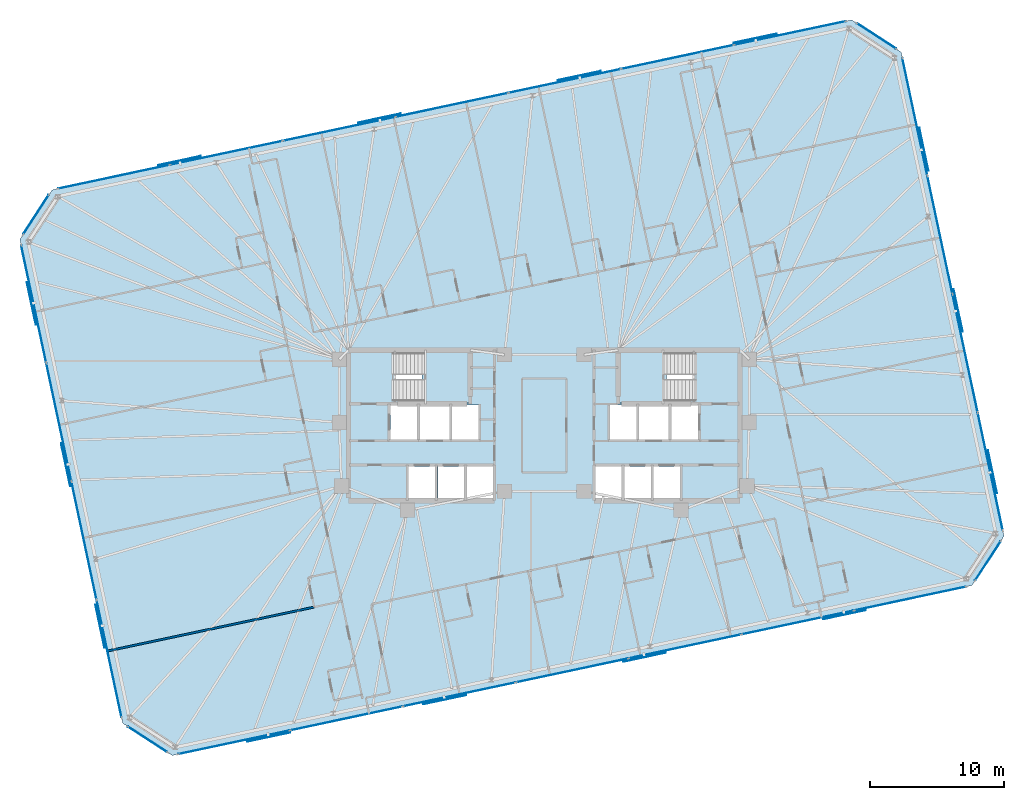
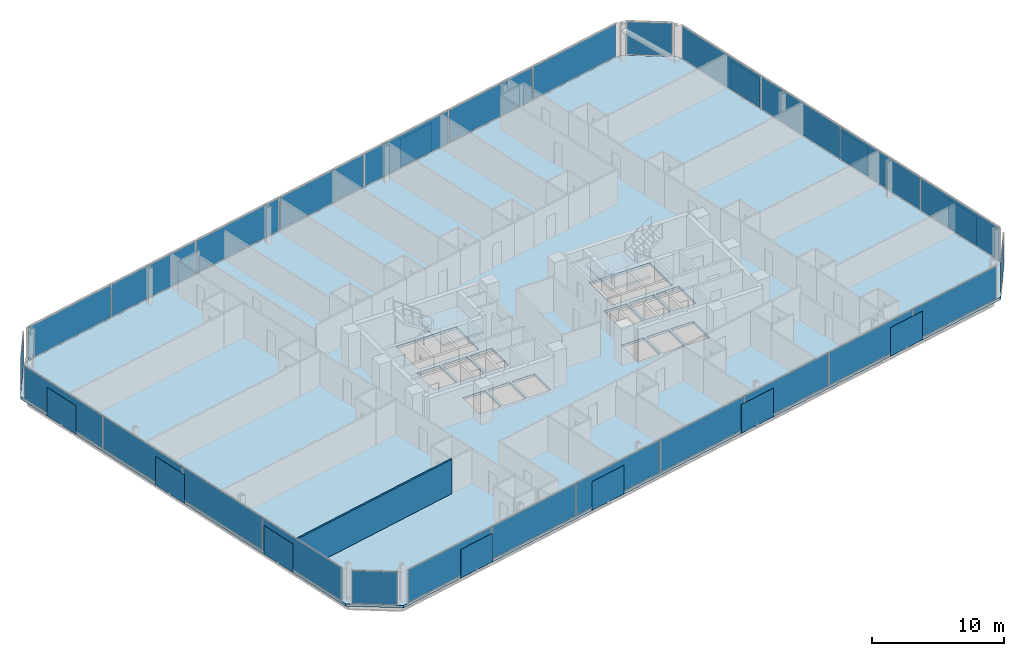
# One storey, part 13 of 20: 40 plates, 3 slabs, 1 wall, 10 elements without a shape of their own.
"""IFC4 building model written with IfcOpenShell, lengths in metres."""

from ifc_helpers import new_model, si_unit, direction, frame, frame_2d, origin, origin_2d, place, context, subcontext, project, spatial, polyline, rectangle, outline, extrude, material, layer, layer_set, type_object, element, aggregate, save


model = new_model("IFC4")

# Units and contexts
model_context = context("Model", 3, precision=1e-05, world=origin(), true_north=direction((0.0, 1.0)))
body_context = subcontext(model_context, "Body", "Model", "MODEL_VIEW")
ifc_project = project(units=[si_unit("LENGTHUNIT", "METRE"), si_unit("AREAUNIT", "SQUARE_METRE"), si_unit("VOLUMEUNIT", "CUBIC_METRE"), si_unit("PLANEANGLEUNIT", "RADIAN"), si_unit("MASSUNIT", "GRAM", prefix="KILO")], contexts=[model_context])

# Site, building, storey
site_placement = place(None, origin())
site = spatial("IfcSite", under=ifc_project, at=site_placement, CompositionType="ELEMENT")
building_placement = place(site_placement, origin())
building = spatial("IfcBuilding", under=site, at=building_placement, Name="Menara Jurai Vektor", CompositionType="ELEMENT")
storey_placement = place(building_placement, frame((0.0, 0.0, 178.60009765625)))
storey = spatial("IfcBuildingStorey", under=building, at=storey_placement, Name="L46", CompositionType="ELEMENT", Elevation=178.60009765625)

# Curtain wall, plates
ifc_material_1 = material(Name="Anodised Pale Aluminium & Low-E Double Glazing", Category="aluminium")
curtain_wall_type = type_object("IfcCurtainWallType", Name="CW-BLK3", PredefinedType="NOTDEFINED", material=ifc_material_1)
curtain_wall_1_placement = place(storey_placement, origin())
curtain_wall_1 = element("IfcCurtainWall", 1, at=curtain_wall_1_placement, inside=storey, type_object=curtain_wall_type, Name="Unitised Curtain Wall L46 F01", PredefinedType="NOTDEFINED")
ifc_material_2 = material(Name="Low-E Solar-Control Double Glazed Unit", Category="glass")
ifc_layer_1 = layer(ifc_material_2, 0.031982421875)
ifc_layer_set_1 = layer_set([ifc_layer_1], Name="Low-E Solar-Control Double Glazed Unit")
plate_type_1 = type_object("IfcPlateType", Name="CW-BLK3-PNL", PredefinedType="CURTAIN_PANEL", material=ifc_layer_set_1)
plate_1_placement = place(storey_placement, frame((-23.078369140625, -23.57568359375, 0.0849609375), z_axis=(0.0, 0.0, 1.0), x_axis=(0.978147674419, 0.207911344156, 0.0)))
plate_1 = element("IfcPlate", 2, at=plate_1_placement, type_object=plate_type_1, Name="CW-03 panel 1.1", PredefinedType="CURTAIN_PANEL", context=body_context, shape_type="SweptSolid", body=[
    extrude(rectangle(XDim=8.44970703125, YDim=0.031982421875, at=origin_2d()), origin(), (0.0, 0.0, 1.0), 3.0048828125),
])
plate_2_placement = place(storey_placement, frame((-14.709228515625, -21.796875, 0.0849609375), z_axis=(0.0, 0.0, 1.0), x_axis=(0.978147674419, 0.207911344156, 0.0)))
plate_2 = element("IfcPlate", 3, at=plate_2_placement, type_object=plate_type_1, Name="CW-03 panel 2.1", PredefinedType="CURTAIN_PANEL", context=body_context, shape_type="SweptSolid", body=[
    extrude(rectangle(XDim=8.4921875, YDim=0.031982421875, at=origin_2d()), origin(), (0.0, 0.0, 1.0), 3.0048828125),
])
plate_3_placement = place(storey_placement, frame((-6.319580078125, -20.013427734375, 0.0849609375), z_axis=(0.0, 0.0, 1.0), x_axis=(0.978147674419, 0.207911344156, 0.0)))
plate_3 = element("IfcPlate", 4, at=plate_3_placement, type_object=plate_type_1, Name="CW-03 panel 3.1", PredefinedType="CURTAIN_PANEL", context=body_context, shape_type="SweptSolid", body=[
    extrude(rectangle(XDim=8.4921875, YDim=0.031982421875, at=origin_2d()), origin(), (0.0, 0.0, 1.0), 3.0048828125),
])
plate_4_placement = place(storey_placement, frame((2.070068359375, -18.230224609375, 0.0849609375), z_axis=(0.0, 0.0, 1.0), x_axis=(0.978147674419, 0.207911344156, 0.0)))
plate_4 = element("IfcPlate", 5, at=plate_4_placement, type_object=plate_type_1, Name="CW-03 panel 4.1", PredefinedType="CURTAIN_PANEL", context=body_context, shape_type="SweptSolid", body=[
    extrude(rectangle(XDim=8.4921875, YDim=0.031982421875, at=origin_2d()), origin(), (0.0, 0.0, 1.0), 3.0048828125),
])
plate_5_placement = place(storey_placement, frame((10.459716796875, -16.447021484375, 0.0849609375), z_axis=(0.0, 0.0, 1.0), x_axis=(0.978147674419, 0.207911344156, 0.0)))
plate_5 = element("IfcPlate", 6, at=plate_5_placement, type_object=plate_type_1, Name="CW-03 panel 5.1", PredefinedType="CURTAIN_PANEL", context=body_context, shape_type="SweptSolid", body=[
    extrude(rectangle(XDim=8.4921875, YDim=0.031982421875, at=origin_2d()), origin(), (0.0, 0.0, 1.0), 3.0048828125),
])
plate_6_placement = place(storey_placement, frame((18.849609375, -14.66357421875, 0.0849609375), z_axis=(0.0, 0.0, 1.0), x_axis=(0.978147674419, 0.207911344156, 0.0)))
plate_6 = element("IfcPlate", 7, at=plate_6_placement, type_object=plate_type_1, Name="CW-03 panel 6.1", PredefinedType="CURTAIN_PANEL", context=body_context, shape_type="SweptSolid", body=[
    extrude(rectangle(XDim=8.4921875, YDim=0.031982421875, at=origin_2d()), origin(), (0.0, 0.0, 1.0), 3.0048828125),
])
plate_7_placement = place(storey_placement, frame((27.218505859375, -12.884765625, 0.0849609375), z_axis=(0.0, 0.0, 1.0), x_axis=(0.978147674419, 0.207911344156, 0.0)))
plate_7 = element("IfcPlate", 8, at=plate_7_placement, type_object=plate_type_1, Name="CW-03 panel 7.1", PredefinedType="CURTAIN_PANEL", context=body_context, shape_type="SweptSolid", body=[
    extrude(rectangle(XDim=8.44970703125, YDim=0.031982421875, at=origin_2d()), origin(), (0.0, 0.0, 1.0), 3.0048828125),
])
aggregate(curtain_wall_1, [plate_1, plate_2, plate_3, plate_4, plate_5, plate_6, plate_7])

curtain_wall_2_placement = place(storey_placement, origin())
curtain_wall_2 = element("IfcCurtainWall", 9, at=curtain_wall_2_placement, inside=storey, type_object=curtain_wall_type, Name="Unitised Curtain Wall L46 F03", PredefinedType="NOTDEFINED")
plate_8_placement = place(storey_placement, frame((33.17333984375, -3.433837890625, 0.0849609375), z_axis=(0.0, 0.0, 1.0), x_axis=(-0.20791035839, 0.978147883949, 0.0)))
plate_8 = element("IfcPlate", 10, at=plate_8_placement, type_object=plate_type_1, Name="CW-03 panel 1.1", PredefinedType="CURTAIN_PANEL", context=body_context, shape_type="SweptSolid", body=[
    extrude(rectangle(XDim=8.882568359375, YDim=0.031982421875, at=origin_2d()), origin(), (0.0, 0.0, 1.0), 3.0048828125),
])
plate_9_placement = place(storey_placement, frame((31.3046875, 5.3583984375, 0.0849609375), z_axis=(0.0, 0.0, 1.0), x_axis=(-0.20791035839, 0.978147883949, 0.0)))
plate_9 = element("IfcPlate", 11, at=plate_9_placement, type_object=plate_type_1, Name="CW-03 panel 2.1", PredefinedType="CURTAIN_PANEL", context=body_context, shape_type="SweptSolid", body=[
    extrude(rectangle(XDim=8.925048828125, YDim=0.031982421875, at=origin_2d()), origin(), (0.0, 0.0, 1.0), 3.0048828125),
])
plate_10_placement = place(storey_placement, frame((29.431396484375, 14.171630859375, 0.0849609375), z_axis=(0.0, 0.0, 1.0), x_axis=(-0.20791035839, 0.978147883949, 0.0)))
plate_10 = element("IfcPlate", 12, at=plate_10_placement, type_object=plate_type_1, Name="CW-03 panel 3.1", PredefinedType="CURTAIN_PANEL", context=body_context, shape_type="SweptSolid", body=[
    extrude(rectangle(XDim=8.925048828125, YDim=0.031982421875, at=origin_2d()), origin(), (0.0, 0.0, 1.0), 3.0048828125),
])
plate_11_placement = place(storey_placement, frame((27.5625, 22.9638671875, 0.0849609375), z_axis=(0.0, 0.0, 1.0), x_axis=(-0.20791035839, 0.978147883949, 0.0)))
plate_11 = element("IfcPlate", 13, at=plate_11_placement, type_object=plate_type_1, Name="CW-03 panel 4.1", PredefinedType="CURTAIN_PANEL", context=body_context, shape_type="SweptSolid", body=[
    extrude(rectangle(XDim=8.882568359375, YDim=0.031982421875, at=origin_2d()), origin(), (0.0, 0.0, 1.0), 3.0048828125),
])
aggregate(curtain_wall_2, [plate_8, plate_9, plate_10, plate_11])

curtain_wall_3_placement = place(storey_placement, origin())
curtain_wall_3 = element("IfcCurtainWall", 14, at=curtain_wall_3_placement, inside=storey, type_object=curtain_wall_type, Name="Unitised Curtain Wall L46 F05", PredefinedType="NOTDEFINED")
plate_12_placement = place(storey_placement, frame((18.2783203125, 29.175537109375, 0.0849609375), z_axis=(0.0, 0.0, 1.0), x_axis=(-0.978147674419, -0.207911344156, 0.0)))
plate_12 = element("IfcPlate", 15, at=plate_12_placement, type_object=plate_type_1, Name="CW-03 panel 1.1", PredefinedType="CURTAIN_PANEL", context=body_context, shape_type="SweptSolid", body=[
    extrude(rectangle(XDim=8.44970703125, YDim=0.031982421875, at=origin_2d()), origin(), (0.0, 0.0, 1.0), 3.0048828125),
])
plate_13_placement = place(storey_placement, frame((9.909423828125, 27.396728515625, 0.0849609375), z_axis=(0.0, 0.0, 1.0), x_axis=(-0.978147674419, -0.207911344156, 0.0)))
plate_13 = element("IfcPlate", 16, at=plate_13_placement, type_object=plate_type_1, Name="CW-03 panel 2.1", PredefinedType="CURTAIN_PANEL", context=body_context, shape_type="SweptSolid", body=[
    extrude(rectangle(XDim=8.4921875, YDim=0.031982421875, at=origin_2d()), origin(), (0.0, 0.0, 1.0), 3.0048828125),
])
plate_14_placement = place(storey_placement, frame((1.51953125, 25.613525390625, 0.0849609375), z_axis=(0.0, 0.0, 1.0), x_axis=(-0.978147674419, -0.207911344156, 0.0)))
plate_14 = element("IfcPlate", 17, at=plate_14_placement, type_object=plate_type_1, Name="CW-03 panel 3.1", PredefinedType="CURTAIN_PANEL", context=body_context, shape_type="SweptSolid", body=[
    extrude(rectangle(XDim=8.4921875, YDim=0.031982421875, at=origin_2d()), origin(), (0.0, 0.0, 1.0), 3.0048828125),
])
plate_15_placement = place(storey_placement, frame((-6.8701171875, 23.830078125, 0.0849609375), z_axis=(0.0, 0.0, 1.0), x_axis=(-0.978147674419, -0.207911344156, 0.0)))
plate_15 = element("IfcPlate", 18, at=plate_15_placement, type_object=plate_type_1, Name="CW-03 panel 4.1", PredefinedType="CURTAIN_PANEL", context=body_context, shape_type="SweptSolid", body=[
    extrude(rectangle(XDim=8.4921875, YDim=0.031982421875, at=origin_2d()), origin(), (0.0, 0.0, 1.0), 3.0048828125),
])
plate_16_placement = place(storey_placement, frame((-15.259765625, 22.046875, 0.0849609375), z_axis=(0.0, 0.0, 1.0), x_axis=(-0.978147674419, -0.207911344156, 0.0)))
plate_16 = element("IfcPlate", 19, at=plate_16_placement, type_object=plate_type_1, Name="CW-03 panel 5.1", PredefinedType="CURTAIN_PANEL", context=body_context, shape_type="SweptSolid", body=[
    extrude(rectangle(XDim=8.4921875, YDim=0.031982421875, at=origin_2d()), origin(), (0.0, 0.0, 1.0), 3.0048828125),
])
plate_17_placement = place(storey_placement, frame((-23.6494140625, 20.263671875, 0.0849609375), z_axis=(0.0, 0.0, 1.0), x_axis=(-0.978147674419, -0.207911344156, 0.0)))
plate_17 = element("IfcPlate", 20, at=plate_17_placement, type_object=plate_type_1, Name="CW-03 panel 6.1", PredefinedType="CURTAIN_PANEL", context=body_context, shape_type="SweptSolid", body=[
    extrude(rectangle(XDim=8.4921875, YDim=0.031982421875, at=origin_2d()), origin(), (0.0, 0.0, 1.0), 3.0048828125),
])
plate_18_placement = place(storey_placement, frame((-32.0185546875, 18.48486328125, 0.0849609375), z_axis=(0.0, 0.0, 1.0), x_axis=(-0.978147674419, -0.207911344156, 0.0)))
plate_18 = element("IfcPlate", 21, at=plate_18_placement, type_object=plate_type_1, Name="CW-03 panel 7.1", PredefinedType="CURTAIN_PANEL", context=body_context, shape_type="SweptSolid", body=[
    extrude(rectangle(XDim=8.44970703125, YDim=0.031982421875, at=origin_2d()), origin(), (0.0, 0.0, 1.0), 3.0048828125),
])
aggregate(curtain_wall_3, [plate_12, plate_13, plate_14, plate_15, plate_16, plate_17, plate_18])

curtain_wall_4_placement = place(storey_placement, origin())
curtain_wall_4 = element("IfcCurtainWall", 22, at=curtain_wall_4_placement, inside=storey, type_object=curtain_wall_type, Name="Unitised Curtain Wall L46 F07", PredefinedType="NOTDEFINED")
plate_19_placement = place(storey_placement, frame((-37.973388671875, 9.033935546875, 0.0849609375), z_axis=(0.0, 0.0, 1.0), x_axis=(0.20791035839, -0.978147883949, 0.0)))
plate_19 = element("IfcPlate", 23, at=plate_19_placement, type_object=plate_type_1, Name="CW-03 panel 1.1", PredefinedType="CURTAIN_PANEL", context=body_context, shape_type="SweptSolid", body=[
    extrude(rectangle(XDim=8.882568359375, YDim=0.031982421875, at=origin_2d()), origin(), (0.0, 0.0, 1.0), 3.0048828125),
])
plate_20_placement = place(storey_placement, frame((-36.1044921875, 0.241455078125, 0.0849609375), z_axis=(0.0, 0.0, 1.0), x_axis=(0.20791035839, -0.978147883949, 0.0)))
plate_20 = element("IfcPlate", 24, at=plate_20_placement, type_object=plate_type_1, Name="CW-03 panel 2.1", PredefinedType="CURTAIN_PANEL", context=body_context, shape_type="SweptSolid", body=[
    extrude(rectangle(XDim=8.925048828125, YDim=0.031982421875, at=origin_2d()), origin(), (0.0, 0.0, 1.0), 3.0048828125),
])
plate_21_placement = place(storey_placement, frame((-34.231201171875, -8.571533203125, 0.0849609375), z_axis=(0.0, 0.0, 1.0), x_axis=(0.20791035839, -0.978147883949, 0.0)))
plate_21 = element("IfcPlate", 25, at=plate_21_placement, type_object=plate_type_1, Name="CW-03 panel 3.1", PredefinedType="CURTAIN_PANEL", context=body_context, shape_type="SweptSolid", body=[
    extrude(rectangle(XDim=8.925048828125, YDim=0.031982421875, at=origin_2d()), origin(), (0.0, 0.0, 1.0), 3.0048828125),
])
plate_22_placement = place(storey_placement, frame((-32.362548828125, -17.364013671875, 0.0849609375), z_axis=(0.0, 0.0, 1.0), x_axis=(0.20791035839, -0.978147883949, 0.0)))
plate_22 = element("IfcPlate", 26, at=plate_22_placement, type_object=plate_type_1, Name="CW-03 panel 4.1", PredefinedType="CURTAIN_PANEL", context=body_context, shape_type="SweptSolid", body=[
    extrude(rectangle(XDim=8.882568359375, YDim=0.031982421875, at=origin_2d()), origin(), (0.0, 0.0, 1.0), 3.0048828125),
])
aggregate(curtain_wall_4, [plate_19, plate_20, plate_21, plate_22])

# Curtain wall, plate
curtain_wall_5_placement = place(storey_placement, origin())
curtain_wall_5 = element("IfcCurtainWall", 27, at=curtain_wall_5_placement, inside=storey, type_object=curtain_wall_type, Name="Unitised Curtain Wall L46 F02", PredefinedType="NOTDEFINED")
ifc_material_3 = material(Name="Insulated Pale Aluminium Spandrel Panel", Category="aluminium")
ifc_layer_2 = layer(ifc_material_3, 0.06005859375)
ifc_layer_set_2 = layer_set([ifc_layer_2], Name="Insulated Pale Aluminium Spandrel Panel")
plate_type_2 = type_object("IfcPlateType", Name="CW-PNL-SP", PredefinedType="CURTAIN_PANEL", material=ifc_layer_set_2)
plate_23_placement = place(storey_placement, frame((32.999755859375, -10.0712890625, 0.0849609375), z_axis=(0.0, 0.0, 1.0), x_axis=(0.544617794346, 0.838684361415, 0.0)))
plate_23 = element("IfcPlate", 28, at=plate_23_placement, type_object=plate_type_2, Name="CW-03 panel 1.1", PredefinedType="CURTAIN_PANEL", context=body_context, shape_type="SweptSolid", body=[
    extrude(rectangle(XDim=3.4541015625, YDim=0.06005859375, at=origin_2d()), origin(), (0.0, 0.0, 1.0), 3.0048828125),
])
aggregate(curtain_wall_5, [plate_23])

curtain_wall_6_placement = place(storey_placement, origin())
curtain_wall_6 = element("IfcCurtainWall", 29, at=curtain_wall_6_placement, inside=storey, type_object=curtain_wall_type, Name="Unitised Curtain Wall L46 F04", PredefinedType="NOTDEFINED")
plate_24_placement = place(storey_placement, frame((24.7041015625, 28.956787109375, 0.0849609375), z_axis=(0.0, 0.0, 1.0), x_axis=(-0.838684361415, 0.544617794346, 0.0)))
plate_24 = element("IfcPlate", 30, at=plate_24_placement, type_object=plate_type_2, Name="CW-03 panel 1.1", PredefinedType="CURTAIN_PANEL", context=body_context, shape_type="SweptSolid", body=[
    extrude(rectangle(XDim=3.4541015625, YDim=0.06005859375, at=origin_2d()), origin(), (0.0, 0.0, 1.0), 3.0048828125),
])
aggregate(curtain_wall_6, [plate_24])

curtain_wall_7_placement = place(storey_placement, origin())
curtain_wall_7 = element("IfcCurtainWall", 31, at=curtain_wall_7_placement, inside=storey, type_object=curtain_wall_type, Name="Unitised Curtain Wall L46 F06", PredefinedType="NOTDEFINED")
plate_25_placement = place(storey_placement, frame((-37.799560546875, 15.67138671875, 0.0849609375), z_axis=(0.0, 0.0, 1.0), x_axis=(-0.544617794346, -0.838684361415, 0.0)))
plate_25 = element("IfcPlate", 32, at=plate_25_placement, type_object=plate_type_2, Name="CW-03 panel 1.1", PredefinedType="CURTAIN_PANEL", context=body_context, shape_type="SweptSolid", body=[
    extrude(rectangle(XDim=3.4541015625, YDim=0.06005859375, at=origin_2d()), origin(), (0.0, 0.0, 1.0), 3.0048828125),
])
aggregate(curtain_wall_7, [plate_25])

curtain_wall_8_placement = place(storey_placement, origin())
curtain_wall_8 = element("IfcCurtainWall", 33, at=curtain_wall_8_placement, inside=storey, type_object=curtain_wall_type, Name="Unitised Curtain Wall L46 F08", PredefinedType="NOTDEFINED")
plate_26_placement = place(storey_placement, frame((-29.50390625, -23.35693359375, 0.0849609375), z_axis=(0.0, 0.0, 1.0), x_axis=(0.838684361415, -0.544617794346, 0.0)))
plate_26 = element("IfcPlate", 34, at=plate_26_placement, type_object=plate_type_2, Name="CW-03 panel 1.1", PredefinedType="CURTAIN_PANEL", context=body_context, shape_type="SweptSolid", body=[
    extrude(rectangle(XDim=3.4541015625, YDim=0.06005859375, at=origin_2d()), origin(), (0.0, 0.0, 1.0), 3.0048828125),
])
aggregate(curtain_wall_8, [plate_26])

# Plates
ifc_material_4 = material(Name="Anodised Pale Aluminium Perforated Screen", Category="aluminium")
ifc_layer_3 = layer(ifc_material_4, 0.02294921875)
ifc_layer_set_3 = layer_set([ifc_layer_3], Name="Anodised Pale Aluminium Perforated Screen")
plate_type_3 = type_object("IfcPlateType", Name="ENV-PLT-SCREEN-MID", PredefinedType="USERDEFINED", material=ifc_layer_set_3)
for number, where, z_axis, x_axis, name in (
    (35, (-20.495849609375, -23.190185546875, -0.050048828125), (0.0, 0.0, 1.0), (0.978147600734, 0.207911690818, 0.0), "Perforated Pale-Metal Solar Screen L46-S01"),
    (36, (-7.412109375, -20.4091796875, -0.050048828125), (0.0, 0.0, 1.0), (0.978147600734, 0.207911690818, 0.0), "Perforated Pale-Metal Solar Screen L46-S02"),
    (37, (7.455810546875, -17.2490234375, -0.050048828125), (0.0, 0.0, 1.0), (0.978147600734, 0.207911690818, 0.0), "Perforated Pale-Metal Solar Screen L46-S03"),
    (38, (22.323486328125, -14.0888671875, -0.050048828125), (0.0, 0.0, 1.0), (0.978147600734, 0.207911690818, 0.0), "Perforated Pale-Metal Solar Screen L46-S04"),
    (39, (33.342529296875, -3.460205078125, -0.050048828125), (0.0, 0.0, 1.0), (-0.207911690818, 0.978147600734, 0.0), "Perforated Pale-Metal Solar Screen L46-S05"),
    (40, (30.792236328125, 8.53857421875, -0.050048828125), (0.0, 0.0, 1.0), (-0.207911690818, 0.978147600734, 0.0), "Perforated Pale-Metal Solar Screen L46-S06"),
    (41, (28.241943359375, 20.537109375, -0.050048828125), (0.0, 0.0, 1.0), (-0.207911690818, 0.978147600734, 0.0), "Perforated Pale-Metal Solar Screen L46-S07"),
    (42, (15.69580078125, 28.790283203125, -0.050048828125), (0.0, 0.0, 1.0), (-0.978147600734, -0.207911690818, 0.0), "Perforated Pale-Metal Solar Screen L46-S08"),
    (43, (2.612060546875, 26.00927734375, -0.050048828125), (0.0, 0.0, 1.0), (-0.978147600734, -0.207911690818, 0.0), "Perforated Pale-Metal Solar Screen L46-S09"),
    (44, (-12.255859375, 22.84912109375, -0.050048828125), (0.0, 0.0, 1.0), (-0.978147600734, -0.207911690818, 0.0), "Perforated Pale-Metal Solar Screen L46-S10"),
    (45, (-27.12353515625, 19.688720703125, -0.050048828125), (0.0, 0.0, 1.0), (-0.978147600734, -0.207911690818, 0.0), "Perforated Pale-Metal Solar Screen L46-S11"),
    (46, (-38.142578125, 9.060302734375, -0.050048828125), (0.0, 0.0, 1.0), (0.207911690818, -0.978147600734, 0.0), "Perforated Pale-Metal Solar Screen L46-S12"),
    (47, (-35.59228515625, -2.9384765625, -0.050048828125), (0.0, 0.0, 1.0), (0.207911690818, -0.978147600734, 0.0), "Perforated Pale-Metal Solar Screen L46-S13"),
    (48, (-33.0419921875, -14.93701171875, -0.050048828125), (0.0, 0.0, 1.0), (0.207911690818, -0.978147600734, 0.0), "Perforated Pale-Metal Solar Screen L46-S14"),
):
    element("IfcPlate", number, at=place(storey_placement, frame(where, z_axis=z_axis, x_axis=x_axis)), inside=storey, type_object=plate_type_3, Name=name, ObjectType="SCREEN", PredefinedType="USERDEFINED", context=body_context, shape_type="SweptSolid", body=[
        extrude(rectangle(XDim=3.25, YDim=0.02294921875, at=origin_2d()), origin(), (0.0, 0.0, 1.0), 2.64990234375),
    ])

# Stair, slab
ifc_material_5 = material(Name="Concrete C40/50", Category="concrete")
stair_type = type_object("IfcStairType", Name="STAIR-DOGLEG-1500", PredefinedType="HALF_TURN_STAIR", material=ifc_material_5)
stair_1_placement = place(storey_placement, origin())
stair_1 = element("IfcStair", 49, at=stair_1_placement, inside=storey, type_object=stair_type, Name="Protected Exit Stair ST1 L46", PredefinedType="HALF_TURN_STAIR")
ifc_layer_4 = layer(ifc_material_5, 0.199951171875)
ifc_layer_set_4 = layer_set([ifc_layer_4], Name="Concrete C40/50")
slab_type_1 = type_object("IfcSlabType", Name="STAIR-LANDING-200", PredefinedType="LANDING", material=ifc_layer_set_4)
slab_1_placement = place(storey_placement, frame((0.0, 0.0, 1.5)))
slab_1 = element("IfcSlab", 50, at=slab_1_placement, type_object=slab_type_1, Name="ST1 landing 1", PredefinedType="LANDING", context=body_context, shape_type="SweptSolid", body=[
    extrude(outline(polyline([(-9.080078125, 1.64990234375), (-5.550048828125, 1.64990234375), (-5.550048828125, 5.550048828125), (-9.080078125, 5.550048828125), (-9.080078125, 1.64990234375)])), origin(), (0.0, 0.0, 1.0), 0.199951171875),
])
aggregate(stair_1, [slab_1])

stair_2_placement = place(storey_placement, origin())
stair_2 = element("IfcStair", 51, at=stair_2_placement, inside=storey, type_object=stair_type, Name="Protected Exit Stair ST2 L46", PredefinedType="HALF_TURN_STAIR")
slab_2_placement = place(storey_placement, frame((0.0, 0.0, 1.5)))
slab_2 = element("IfcSlab", 52, at=slab_2_placement, type_object=slab_type_1, Name="ST2 landing 1", PredefinedType="LANDING", context=body_context, shape_type="SweptSolid", body=[
    extrude(outline(polyline([(5.550048828125, 1.64990234375), (9.080078125, 1.64990234375), (9.080078125, 5.550048828125), (5.550048828125, 5.550048828125), (5.550048828125, 1.64990234375)])), origin(), (0.0, 0.0, 1.0), 0.199951171875),
])
aggregate(stair_2, [slab_2])

# Slab
ifc_layer_5 = layer(ifc_material_5, 0.22509765625)
ifc_layer_set_5 = layer_set([ifc_layer_5], Name="Concrete C40/50")
slab_type_2 = type_object("IfcSlabType", Name="STR-SLAB-TYP200", PredefinedType="FLOOR", material=ifc_layer_set_5)
slab_3_placement = place(storey_placement, frame((0.0, 0.0, -0.22509765625)))
element("IfcSlab", 53, at=slab_3_placement, inside=storey, type_object=slab_type_2, Name="Composite Floor Slab L46", PredefinedType="FLOOR", context=body_context, shape_type="SweptSolid", body=[
    extrude(outline(polyline([(-27.66552734375, -24.55078125), (31.805908203125, -11.90966796875), (34.193603515625, -8.23291015625), (26.54248046875, 27.762939453125), (22.865478515625, 30.150634765625), (-36.605712890625, 17.509765625), (-38.993408203125, 13.8330078125), (-31.34228515625, -22.1630859375), (-27.66552734375, -24.55078125)]), holes=[polyline([(-11.10009765625, 1.89990234375), (-11.10009765625, 5.300048828125), (-5.800048828125, 5.300048828125), (-5.800048828125, 1.89990234375), (-11.10009765625, 1.89990234375)]), polyline([(5.800048828125, 1.89990234375), (5.800048828125, 5.300048828125), (11.10009765625, 5.300048828125), (11.10009765625, 1.89990234375), (5.800048828125, 1.89990234375)]), polyline([(-11.449951171875, -1.050048828125), (-11.449951171875, 1.5), (-9.449951171875, 1.5), (-9.449951171875, -1.050048828125), (-11.449951171875, -1.050048828125)]), polyline([(9.449951171875, -1.050048828125), (9.449951171875, 1.5), (11.449951171875, 1.5), (11.449951171875, -1.050048828125), (9.449951171875, -1.050048828125)]), polyline([(-5.760009765625, -5.5), (-5.760009765625, -3.050048828125), (-3.800048828125, -3.050048828125), (-3.800048828125, -5.5), (-5.760009765625, -5.5)]), polyline([(-6.85009765625, -1.050048828125), (-6.85009765625, 1.5), (-4.889892578125, 1.5), (-4.889892578125, -1.050048828125), (-6.85009765625, -1.050048828125)]), polyline([(3.800048828125, -5.5), (3.800048828125, -3.050048828125), (5.760009765625, -3.050048828125), (5.760009765625, -5.5), (3.800048828125, -5.5)]), polyline([(4.889892578125, -1.050048828125), (4.889892578125, 1.5), (6.85009765625, 1.5), (6.85009765625, -1.050048828125), (4.889892578125, -1.050048828125)]), polyline([(-10.080078125, -5.5), (-10.080078125, -3.050048828125), (-8.1201171875, -3.050048828125), (-8.1201171875, -5.5), (-10.080078125, -5.5)]), polyline([(-7.919921875, -5.5), (-7.919921875, -3.050048828125), (-5.9599609375, -3.050048828125), (-5.9599609375, -5.5), (-7.919921875, -5.5)]), polyline([(5.9599609375, -5.5), (5.9599609375, -3.050048828125), (7.919921875, -3.050048828125), (7.919921875, -5.5), (5.9599609375, -5.5)]), polyline([(8.1201171875, -5.5), (8.1201171875, -3.050048828125), (10.080078125, -3.050048828125), (10.080078125, -5.5), (8.1201171875, -5.5)]), polyline([(-9.25, -1.050048828125), (-9.25, 1.5), (-7.050048828125, 1.5), (-7.050048828125, -1.050048828125), (-9.25, -1.050048828125)]), polyline([(7.050048828125, -1.050048828125), (7.050048828125, 1.5), (9.25, 1.5), (9.25, -1.050048828125), (7.050048828125, -1.050048828125)])]), origin(), (0.0, 0.0, 1.0), 0.22509765625),
])

# Wall
ifc_material_6 = material(Name="Gypsum Fireboard Partition", Category="gypsum")
ifc_layer_6 = layer(ifc_material_6, 0.14990234375)
ifc_layer_set_6 = layer_set([ifc_layer_6], Name="Gypsum Fireboard Partition")
wall_type = type_object("IfcWallType", Name="INT-WALL-CORR-150", PredefinedType="PARTITIONING", material=ifc_layer_set_6)
wall_placement = place(storey_placement, frame((-32.48583984375, -16.783203125, 0.0), z_axis=(0.0, 0.0, 1.0), x_axis=(0.978146137903, 0.207918572776, 0.0)))
element("IfcWall", 54, at=wall_placement, inside=storey, type_object=wall_type, Name="Interior Wall IW-150 L46", PredefinedType="PARTITIONING", context=body_context, shape_type="SweptSolid", body=[
    extrude(rectangle(XDim=15.718017578125, YDim=0.14990234375, at=frame_2d((7.85888671875, 0.0))), origin(), (0.0, 0.0, 1.0), 3.1748046875),
])

save(model, "model.ifc")
